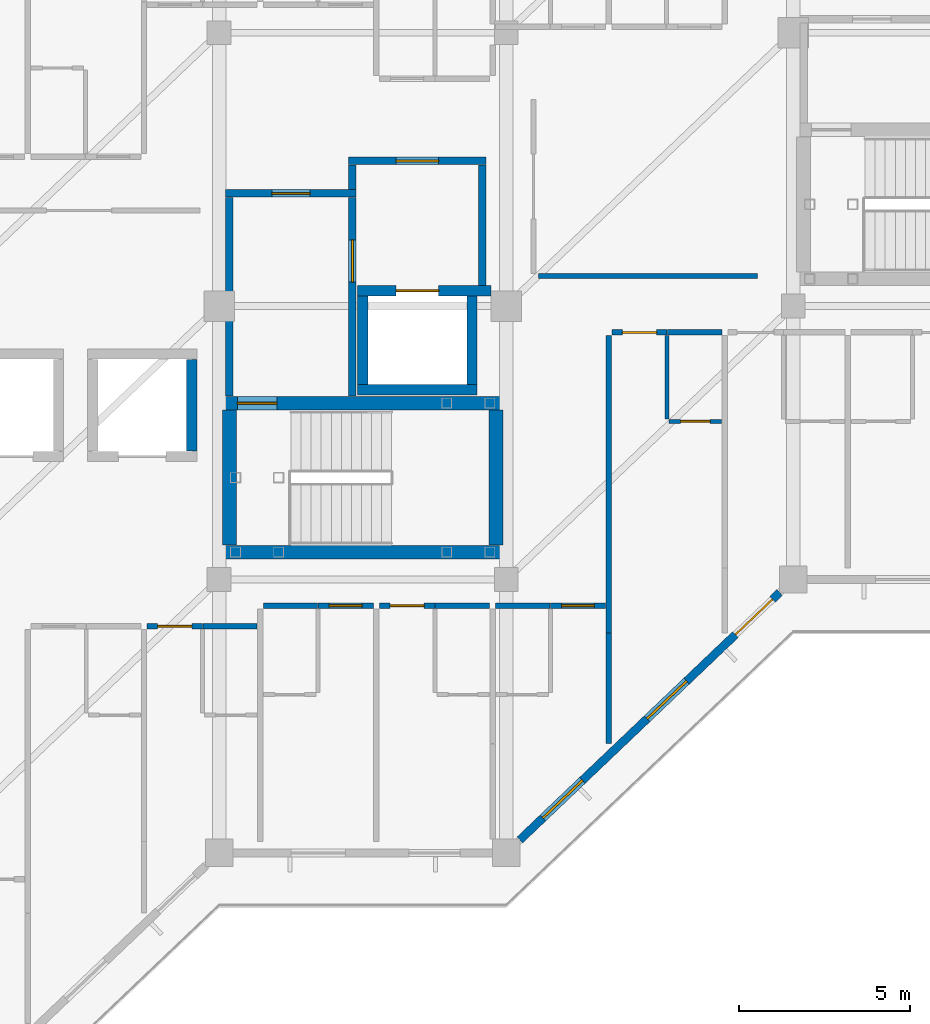
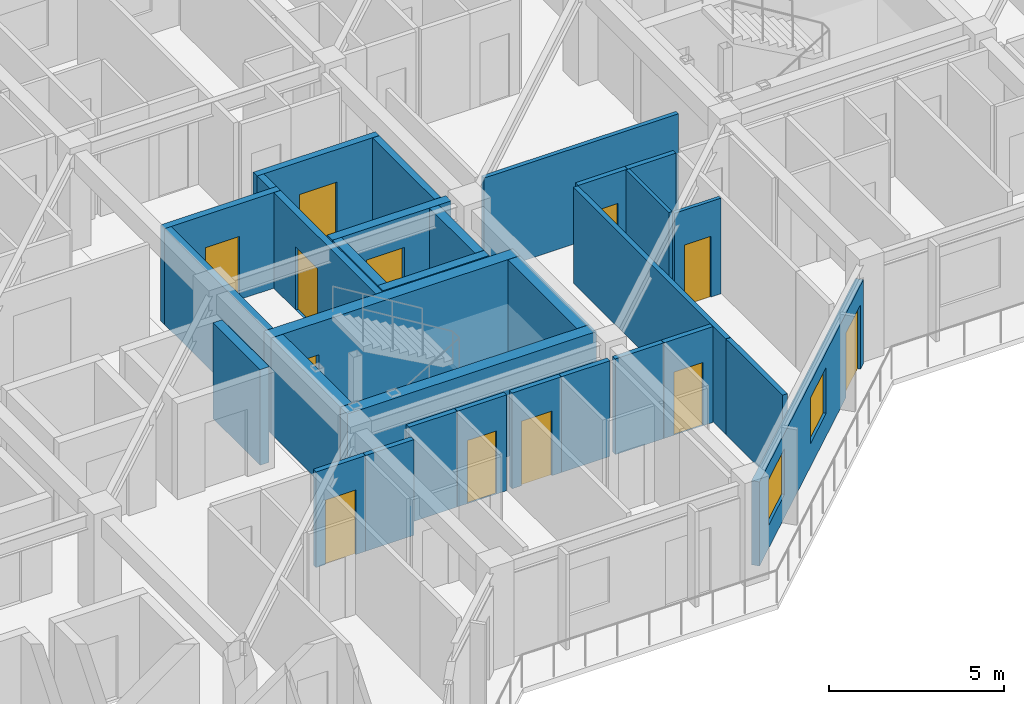
# One storey, part 10 of 17: 31 walls, 12 doors, 2 windows, 14 openings.
"""IFC4 building model written with IfcOpenShell, lengths in metres."""

from ifc_helpers import new_model, si_unit, direction, frame, frame_2d, origin, place, context, subcontext, project, spatial, rectangle, extrude, material, layer, layer_set, type_object, element, fill, save


model = new_model("IFC4")

# Units and contexts
model_context = context("Model", 3, precision=1e-05, world=origin(), true_north=direction((0.0, 1.0)))
body_context = subcontext(model_context, "Body", "Model", "MODEL_VIEW")
ifc_project = project(units=[si_unit("LENGTHUNIT", "METRE"), si_unit("AREAUNIT", "SQUARE_METRE"), si_unit("VOLUMEUNIT", "CUBIC_METRE"), si_unit("PLANEANGLEUNIT", "RADIAN"), si_unit("MASSUNIT", "GRAM", prefix="KILO")], contexts=[model_context])

# Site, building, storey
site_placement = place(None, origin())
site = spatial("IfcSite", under=ifc_project, at=site_placement, CompositionType="ELEMENT")
building_placement = place(site_placement, origin())
building = spatial("IfcBuilding", under=site, at=building_placement, Name="Naruveol Harbour Congress Hotel", CompositionType="ELEMENT")
storey_placement = place(building_placement, frame((0.0, 0.0, 25.199951171875)))
storey = spatial("IfcBuildingStorey", under=building, at=storey_placement, Name="L05", CompositionType="ELEMENT", Elevation=25.199951171875)

# Walls
ifc_material_1 = material(Name="Acoustic Double Stud Gypsum", Category="gypsum")
ifc_layer_1 = layer(ifc_material_1, 0.139892578125)
ifc_layer_set_1 = layer_set([ifc_layer_1], Name="Acoustic Double Stud Gypsum")
wall_type_1 = type_object("IfcWallType", Name="ACOUSTIC MEETING PARTITION WALL 140", PredefinedType="PARTITIONING", material=ifc_layer_set_1)
wall_1_placement = place(storey_placement, frame((160.5400390625, 24.8798828125, 0.0), z_axis=(0.0, 0.0, 1.0), x_axis=(1.0, 0.0, 0.0)))
element("IfcWall", 1, at=wall_1_placement, inside=storey, type_object=wall_type_1, Name="Executive Club Salon south partition PW-140", PredefinedType="PARTITIONING", context=body_context, shape_type="SweptSolid", body=[
    extrude(rectangle(XDim=6.409912109375, YDim=0.139892578125, at=frame_2d((3.205078125, 0.0))), origin(), (0.0, 0.0, 1.0), 3.3349609375),
])
ifc_material_2 = material(Name="Moisture-Resistant Gypsum Partition", Category="gypsum")
ifc_layer_2 = layer(ifc_material_2, 0.114990234375)
ifc_layer_set_2 = layer_set([ifc_layer_2], Name="Moisture-Resistant Gypsum Partition")
wall_type_2 = type_object("IfcWallType", Name="BATHROOM MOISTURE PARTITION WALL 115", PredefinedType="PARTITIONING", material=ifc_layer_set_2)
wall_2_placement = place(storey_placement, frame((164.31005859375, 20.68994140625, 0.0), z_axis=(0.0, 0.0, 1.0), x_axis=(0.0, 1.0, 0.0)))
element("IfcWall", 2, at=wall_2_placement, inside=storey, type_object=wall_type_2, Name="Bathroom west wall 0628 PW-115", PredefinedType="PARTITIONING", context=body_context, shape_type="SweptSolid", body=[
    extrude(rectangle(XDim=2.449951171875, YDim=0.114990234375, at=frame_2d((1.22509765625, 0.0))), origin(), (0.0, 0.0, 1.0), 3.3349609375),
])

# Wall, opening, door
wall_3_placement = place(storey_placement, frame((164.3701171875, 20.6298828125, 0.0), z_axis=(0.0, 0.0, 1.0), x_axis=(1.0, 0.0, 0.0)))
wall_3 = element("IfcWall", 3, at=wall_3_placement, inside=storey, type_object=wall_type_2, Name="Bathroom south wall 0628 PW-115", PredefinedType="PARTITIONING", context=body_context, shape_type="SweptSolid", body=[
    extrude(rectangle(XDim=1.52978515625, YDim=0.114990234375, at=frame_2d((0.764892578125, 0.0))), origin(), (0.0, 0.0, 1.0), 3.3349609375),
])
opening_1_placement = place(wall_3_placement, frame((0.3349609375, 0.0, 0.0)))
opening_1 = element("IfcOpeningElement", 4, at=opening_1_placement, cuts=wall_3, Name="Opening BD-RM0628", PredefinedType="OPENING", context=body_context, shape_type="SweptSolid", body=[
    extrude(rectangle(XDim=0.860107421875, YDim=2.1201171875, at=frame_2d((0.43017578125, 1.06005859375))), frame((0.0, 0.0673828125, 0.0), z_axis=(0.0, -1.0, 0.0), x_axis=(1.0, 0.0, 0.0)), (0.0, 0.0, 1.0), 0.135009765625),
])
ifc_material_3 = material(Name="Timber & Steel Acoustic Leaf", Category="steel")
door_type_1 = type_object("IfcDoorType", Name="GUEST BATHROOM DOOR 860X2120", OperationType="NOTDEFINED", PredefinedType="DOOR", material=ifc_material_3)
door_1_placement = place(opening_1_placement, origin())
door_1 = element("IfcDoor", 5, at=door_1_placement, inside=storey, type_object=door_type_1, Name="Bathroom Door 0628", OperationType="SINGLE_SWING_RIGHT", OverallHeight=2.1201171875, OverallWidth=0.860107421875, PredefinedType="DOOR", context=body_context, shape_type="SweptSolid", body=[
    extrude(rectangle(XDim=0.860107421875, YDim=2.1201171875, at=frame_2d((0.43017578125, 1.06005859375))), frame((0.0, 0.02490234375, 0.0), z_axis=(0.0, -1.0, 0.0), x_axis=(1.0, 0.0, 0.0)), (0.0, 0.0, 1.0), 0.050048828125),
])
fill(opening_1, door_1)

# Wall
ifc_material_4 = material(Name="Concrete C40/50", Category="concrete")
ifc_layer_3 = layer(ifc_material_4, 0.219970703125)
ifc_layer_set_3 = layer_set([ifc_layer_3], Name="Concrete C40/50")
wall_type_3 = type_object("IfcWallType", Name="FIRE COMPARTMENT AND LOBBY WALL 220 EI120", PredefinedType="PARTITIONING", material=ifc_layer_set_3)
wall_4_placement = place(storey_placement, frame((151.5, 21.364990234375, 0.0), z_axis=(0.0, 0.0, 1.0), x_axis=(0.0, 1.0, 0.0)))
element("IfcWall", 6, at=wall_4_placement, inside=storey, type_object=wall_type_3, Name="Smoke vestibule ST2 west wall FW-220", PredefinedType="PARTITIONING", context=body_context, shape_type="SweptSolid", body=[
    extrude(rectangle(XDim=5.820068359375, YDim=0.219970703125, at=frame_2d((2.91015625, 0.0))), origin(), (0.0, 0.0, 1.0), 3.3349609375),
])

# Wall, opening, door
wall_5_placement = place(storey_placement, frame((151.389892578125, 27.300048828125, 0.0), z_axis=(0.0, 0.0, 1.0), x_axis=(1.0, 0.0, 0.0)))
wall_5 = element("IfcWall", 7, at=wall_5_placement, inside=storey, type_object=wall_type_3, Name="Smoke vestibule ST2 north wall FW-220", PredefinedType="PARTITIONING", context=body_context, shape_type="SweptSolid", body=[
    extrude(rectangle(XDim=3.820068359375, YDim=0.219970703125, at=frame_2d((1.91015625, 0.0))), origin(), (0.0, 0.0, 1.0), 3.3349609375),
])
opening_2_placement = place(wall_5_placement, frame((1.35009765625, 0.0, 0.0)))
opening_2 = element("IfcOpeningElement", 8, at=opening_2_placement, cuts=wall_5, Name="Opening FD-ST2-V-L05", PredefinedType="OPENING", context=body_context, shape_type="SweptSolid", body=[
    extrude(rectangle(XDim=1.1201171875, YDim=2.199951171875, at=frame_2d((0.56005859375, 1.10009765625))), frame((0.0, 0.119873046875, 0.0), z_axis=(0.0, -1.0, 0.0), x_axis=(1.0, 0.0, 0.0)), (0.0, 0.0, 1.0), 0.239990234375),
])
ifc_material_5 = material(Name="Timber & Steel Acoustic Leaf", Category="steel")
door_type_2 = type_object("IfcDoorType", Name="VESTIBULE SMOKE CONTROL FIRE DOOR 1120X2200", OperationType="NOTDEFINED", PredefinedType="DOOR", material=ifc_material_5)
door_2_placement = place(opening_2_placement, origin())
door_2 = element("IfcDoor", 9, at=door_2_placement, inside=storey, type_object=door_type_2, Name="Smoke Vestibule Entry Door ST2 L05", OperationType="SINGLE_SWING_LEFT", OverallHeight=2.199951171875, OverallWidth=1.1201171875, PredefinedType="DOOR", context=body_context, shape_type="SweptSolid", body=[
    extrude(rectangle(XDim=1.1201171875, YDim=2.199951171875, at=frame_2d((0.56005859375, 1.10009765625))), frame((0.0, 0.02490234375, 0.0), z_axis=(0.0, -1.0, 0.0), x_axis=(1.0, 0.0, 0.0)), (0.0, 0.0, 1.0), 0.050048828125),
])
fill(opening_2, door_2)

wall_6_placement = place(storey_placement, frame((155.10009765625, 21.364990234375, 0.0), z_axis=(0.0, 0.0, 1.0), x_axis=(0.0, 1.0, 0.0)))
wall_6 = element("IfcWall", 10, at=wall_6_placement, inside=storey, type_object=wall_type_3, Name="Smoke vestibule ST2 east wall FW-220", PredefinedType="PARTITIONING", context=body_context, shape_type="SweptSolid", body=[
    extrude(rectangle(XDim=5.820068359375, YDim=0.219970703125, at=frame_2d((2.91015625, 0.0))), origin(), (0.0, 0.0, 1.0), 3.3349609375),
])
opening_3_placement = place(wall_6_placement, frame((3.3349609375, 0.0, 0.0)))
opening_3 = element("IfcOpeningElement", 11, at=opening_3_placement, cuts=wall_6, Name="Opening FD-FFL-ST2-L05", PredefinedType="OPENING", context=body_context, shape_type="SweptSolid", body=[
    extrude(rectangle(XDim=1.239990234375, YDim=2.199951171875, at=frame_2d((0.6201171875, 1.10009765625))), frame((0.0, 0.119873046875, 0.0), z_axis=(0.0, -1.0, 0.0), x_axis=(1.0, 0.0, 0.0)), (0.0, 0.0, 1.0), 0.239990234375),
])
ifc_material_6 = material(Name="Timber & Steel Acoustic Leaf", Category="steel")
door_type_3 = type_object("IfcDoorType", Name="FIREFIGHTING LOBBY FIRE DOOR 1240X2200", OperationType="NOTDEFINED", PredefinedType="DOOR", material=ifc_material_6)
door_3_placement = place(opening_3_placement, origin())
door_3 = element("IfcDoor", 12, at=door_3_placement, inside=storey, type_object=door_type_3, Name="Firefighting Lobby Vestibule Door ST2 L05", OperationType="SINGLE_SWING_RIGHT", OverallHeight=2.199951171875, OverallWidth=1.239990234375, PredefinedType="DOOR", context=body_context, shape_type="SweptSolid", body=[
    extrude(rectangle(XDim=1.239990234375, YDim=2.199951171875, at=frame_2d((0.6201171875, 1.10009765625))), frame((0.0, 0.02490234375, 0.0), z_axis=(0.0, -1.0, 0.0), x_axis=(1.0, 0.0, 0.0)), (0.0, 0.0, 1.0), 0.050048828125),
])
fill(opening_3, door_3)

# Walls
wall_7_placement = place(storey_placement, frame((155.10009765625, 27.4150390625, 0.0), z_axis=(0.0, 0.0, 1.0), x_axis=(0.0, 1.0, 0.0)))
element("IfcWall", 13, at=wall_7_placement, inside=storey, type_object=wall_type_3, Name="Firefighting lift lobby ST2 upper west wall FW-220", PredefinedType="PARTITIONING", context=body_context, shape_type="SweptSolid", body=[
    extrude(rectangle(XDim=0.719970703125, YDim=0.219970703125, at=frame_2d((0.35986328125, 0.0))), origin(), (0.0, 0.0, 1.0), 3.3349609375),
])
wall_8_placement = place(storey_placement, frame((158.89990234375, 24.60498046875, 0.0), z_axis=(0.0, 0.0, 1.0), x_axis=(0.0, 1.0, 0.0)))
element("IfcWall", 14, at=wall_8_placement, inside=storey, type_object=wall_type_3, Name="Firefighting lift lobby ST2 east wall FW-220", PredefinedType="PARTITIONING", context=body_context, shape_type="SweptSolid", body=[
    extrude(rectangle(XDim=3.530029296875, YDim=0.219970703125, at=frame_2d((1.76513671875, 0.0))), origin(), (0.0, 0.0, 1.0), 3.3349609375),
])

# Wall, opening, door
wall_9_placement = place(storey_placement, frame((154.989990234375, 28.25, 0.0), z_axis=(0.0, 0.0, 1.0), x_axis=(1.0, 0.0, 0.0)))
wall_9 = element("IfcWall", 15, at=wall_9_placement, inside=storey, type_object=wall_type_3, Name="Firefighting lift lobby ST2 north wall FW-220", PredefinedType="PARTITIONING", context=body_context, shape_type="SweptSolid", body=[
    extrude(rectangle(XDim=4.02001953125, YDim=0.219970703125, at=frame_2d((2.010009765625, 0.0))), origin(), (0.0, 0.0, 1.0), 3.3349609375),
])
opening_4_placement = place(wall_9_placement, frame((1.389892578125, 0.0, 0.0)))
opening_4 = element("IfcOpeningElement", 16, at=opening_4_placement, cuts=wall_9, Name="Opening FD-FFC-ST2-L05", PredefinedType="OPENING", context=body_context, shape_type="SweptSolid", body=[
    extrude(rectangle(XDim=1.239990234375, YDim=2.199951171875, at=frame_2d((0.6201171875, 1.10009765625))), frame((0.0, 0.119873046875, 0.0), z_axis=(0.0, -1.0, 0.0), x_axis=(1.0, 0.0, 0.0)), (0.0, 0.0, 1.0), 0.239990234375),
])
door_4_placement = place(opening_4_placement, origin())
door_4 = element("IfcDoor", 17, at=door_4_placement, inside=storey, type_object=door_type_3, Name="Firefighting Lobby Corridor Door ST2 L05", OperationType="SINGLE_SWING_LEFT", OverallHeight=2.199951171875, OverallWidth=1.239990234375, PredefinedType="DOOR", context=body_context, shape_type="SweptSolid", body=[
    extrude(rectangle(XDim=1.239990234375, YDim=2.199951171875, at=frame_2d((0.6201171875, 1.10009765625))), frame((0.0, 0.02490234375, 0.0), z_axis=(0.0, -1.0, 0.0), x_axis=(1.0, 0.0, 0.0)), (0.0, 0.0, 1.0), 0.050048828125),
])
fill(opening_4, door_4)

ifc_material_7 = material(Name="Autoclaved Aerated Concrete Block", Category="concrete")
ifc_layer_4 = layer(ifc_material_7, 0.159912109375)
ifc_layer_set_4 = layer_set([ifc_layer_4], Name="Autoclaved Aerated Concrete Block")
wall_type_4 = type_object("IfcWallType", Name="HOTEL PARTY AND CORRIDOR WALL 160 EI60", PredefinedType="PARTITIONING", material=ifc_layer_set_4)
wall_10_placement = place(storey_placement, frame((149.090087890625, 14.6298828125, 0.0), z_axis=(0.0, 0.0, 1.0), x_axis=(1.0, 0.0, 0.0)))
wall_10 = element("IfcWall", 18, at=wall_10_placement, inside=storey, type_object=wall_type_4, Name="Corridor entry wall 0624 PW-160", PredefinedType="PARTITIONING", context=body_context, shape_type="SweptSolid", body=[
    extrude(rectangle(XDim=1.619873046875, YDim=0.159912109375, at=frame_2d((0.81005859375, 0.0))), origin(), (0.0, 0.0, 1.0), 3.3349609375),
])
opening_5_placement = place(wall_10_placement, frame((0.31005859375, 0.0, 0.0)))
opening_5 = element("IfcOpeningElement", 19, at=opening_5_placement, cuts=wall_10, Name="Opening FD-RM0624", PredefinedType="OPENING", context=body_context, shape_type="SweptSolid", body=[
    extrude(rectangle(XDim=1.0, YDim=2.25, at=frame_2d((0.5, 1.125))), frame((0.0, 0.08984375, 0.0), z_axis=(0.0, -1.0, 0.0), x_axis=(1.0, 0.0, 0.0)), (0.0, 0.0, 1.0), 0.179931640625),
])
ifc_material_8 = material(Name="Timber & Steel Acoustic Leaf", Category="steel")
door_type_4 = type_object("IfcDoorType", Name="DELUXE GUEST ENTRANCE FIRE DOOR 1000X2250", OperationType="NOTDEFINED", PredefinedType="DOOR", material=ifc_material_8)
door_5_placement = place(opening_5_placement, origin())
door_5 = element("IfcDoor", 20, at=door_5_placement, inside=storey, type_object=door_type_4, Name="Hotel Room Door 0624", OperationType="SINGLE_SWING_LEFT", OverallHeight=2.25, OverallWidth=1.0, PredefinedType="DOOR", context=body_context, shape_type="SweptSolid", body=[
    extrude(rectangle(XDim=1.0, YDim=2.25, at=frame_2d((0.5, 1.125))), frame((0.0, 0.02490234375, 0.0), z_axis=(0.0, -1.0, 0.0), x_axis=(1.0, 0.0, 0.0)), (0.0, 0.0, 1.0), 0.050048828125),
])
fill(opening_5, door_5)

# Walls
for number, where, z_axis, x_axis, name in (
    (21, (150.719970703125, 14.6298828125, 0.0), (0.0, 0.0, 1.0), (1.0, 0.0, 0.0), "Corridor wall 0624B PW-160"),
    (22, (152.489990234375, 15.22998046875, 0.0), (0.0, 0.0, 1.0), (1.0, 0.0, 0.0), "Corridor wall 0625B PW-160"),
):
    element("IfcWall", number, at=place(storey_placement, frame(where, z_axis=z_axis, x_axis=x_axis)), inside=storey, type_object=wall_type_4, Name=name, PredefinedType="PARTITIONING", context=body_context, shape_type="SweptSolid", body=[
        extrude(rectangle(XDim=1.590087890625, YDim=0.159912109375, at=frame_2d((0.794921875, 0.0))), origin(), (0.0, 0.0, 1.0), 3.3349609375),
    ])

# Wall, opening, door
wall_11_placement = place(storey_placement, frame((154.090087890625, 15.22998046875, 0.0), z_axis=(0.0, 0.0, 1.0), x_axis=(1.0, 0.0, 0.0)))
wall_11 = element("IfcWall", 23, at=wall_11_placement, inside=storey, type_object=wall_type_4, Name="Corridor entry wall 0625 PW-160", PredefinedType="PARTITIONING", context=body_context, shape_type="SweptSolid", body=[
    extrude(rectangle(XDim=1.619873046875, YDim=0.159912109375, at=frame_2d((0.81005859375, 0.0))), origin(), (0.0, 0.0, 1.0), 3.3349609375),
])
opening_6_placement = place(wall_11_placement, frame((0.330078125, 0.0, 0.0)))
opening_6 = element("IfcOpeningElement", 24, at=opening_6_placement, cuts=wall_11, Name="Opening FD-RM0625", PredefinedType="OPENING", context=body_context, shape_type="SweptSolid", body=[
    extrude(rectangle(XDim=0.9599609375, YDim=2.199951171875, at=frame_2d((0.47998046875, 1.10009765625))), frame((0.0, 0.08984375, 0.0), z_axis=(0.0, -1.0, 0.0), x_axis=(1.0, 0.0, 0.0)), (0.0, 0.0, 1.0), 0.179931640625),
])
ifc_material_9 = material(Name="Timber & Steel Acoustic Leaf", Category="steel")
door_type_5 = type_object("IfcDoorType", Name="GUEST ROOM ENTRANCE FIRE DOOR 960X2200", OperationType="NOTDEFINED", PredefinedType="DOOR", material=ifc_material_9)
door_6_placement = place(opening_6_placement, origin())
door_6 = element("IfcDoor", 25, at=door_6_placement, inside=storey, type_object=door_type_5, Name="Hotel Room Door 0625", OperationType="SINGLE_SWING_LEFT", OverallHeight=2.199951171875, OverallWidth=0.9599609375, PredefinedType="DOOR", context=body_context, shape_type="SweptSolid", body=[
    extrude(rectangle(XDim=0.9599609375, YDim=2.199951171875, at=frame_2d((0.47998046875, 1.10009765625))), frame((0.0, 0.02490234375, 0.0), z_axis=(0.0, -1.0, 0.0), x_axis=(1.0, 0.0, 0.0)), (0.0, 0.0, 1.0), 0.050048828125),
])
fill(opening_6, door_6)

wall_12_placement = place(storey_placement, frame((155.889892578125, 15.22998046875, 0.0), z_axis=(0.0, 0.0, 1.0), x_axis=(1.0, 0.0, 0.0)))
wall_12 = element("IfcWall", 26, at=wall_12_placement, inside=storey, type_object=wall_type_4, Name="Corridor entry wall 0626 PW-160", PredefinedType="PARTITIONING", context=body_context, shape_type="SweptSolid", body=[
    extrude(rectangle(XDim=1.6201171875, YDim=0.159912109375, at=frame_2d((0.81005859375, 0.0))), origin(), (0.0, 0.0, 1.0), 3.3349609375),
])
opening_7_placement = place(wall_12_placement, frame((0.31005859375, 0.0, 0.0)))
opening_7 = element("IfcOpeningElement", 27, at=opening_7_placement, cuts=wall_12, Name="Opening FD-RM0626", PredefinedType="OPENING", context=body_context, shape_type="SweptSolid", body=[
    extrude(rectangle(XDim=1.0, YDim=2.25, at=frame_2d((0.5, 1.125))), frame((0.0, 0.08984375, 0.0), z_axis=(0.0, -1.0, 0.0), x_axis=(1.0, 0.0, 0.0)), (0.0, 0.0, 1.0), 0.179931640625),
])
door_7_placement = place(opening_7_placement, origin())
door_7 = element("IfcDoor", 28, at=door_7_placement, inside=storey, type_object=door_type_4, Name="Hotel Room Door 0626", OperationType="SINGLE_SWING_LEFT", OverallHeight=2.25, OverallWidth=1.0, PredefinedType="DOOR", context=body_context, shape_type="SweptSolid", body=[
    extrude(rectangle(XDim=1.0, YDim=2.25, at=frame_2d((0.5, 1.125))), frame((0.0, 0.02490234375, 0.0), z_axis=(0.0, -1.0, 0.0), x_axis=(1.0, 0.0, 0.0)), (0.0, 0.0, 1.0), 0.050048828125),
])
fill(opening_7, door_7)

# Walls
wall_13_placement = place(storey_placement, frame((157.52001953125, 15.22998046875, 0.0), z_axis=(0.0, 0.0, 1.0), x_axis=(1.0, 0.0, 0.0)))
element("IfcWall", 29, at=wall_13_placement, inside=storey, type_object=wall_type_4, Name="Corridor wall 0626B PW-160", PredefinedType="PARTITIONING", context=body_context, shape_type="SweptSolid", body=[
    extrude(rectangle(XDim=1.590087890625, YDim=0.159912109375, at=frame_2d((0.794921875, 0.0))), origin(), (0.0, 0.0, 1.0), 3.3349609375),
])
wall_14_placement = place(storey_placement, frame((159.2900390625, 15.22998046875, 0.0), z_axis=(0.0, 0.0, 1.0), x_axis=(1.0, 0.0, 0.0)))
element("IfcWall", 30, at=wall_14_placement, inside=storey, type_object=wall_type_4, Name="Corridor wall 0627B PW-160", PredefinedType="PARTITIONING", context=body_context, shape_type="SweptSolid", body=[
    extrude(rectangle(XDim=1.58984375, YDim=0.159912109375, at=frame_2d((0.794921875, 0.0))), origin(), (0.0, 0.0, 1.0), 3.3349609375),
])

# Wall, opening, door
wall_15_placement = place(storey_placement, frame((160.889892578125, 15.22998046875, 0.0), z_axis=(0.0, 0.0, 1.0), x_axis=(1.0, 0.0, 0.0)))
wall_15 = element("IfcWall", 31, at=wall_15_placement, inside=storey, type_object=wall_type_4, Name="Corridor entry wall 0627 PW-160", PredefinedType="PARTITIONING", context=body_context, shape_type="SweptSolid", body=[
    extrude(rectangle(XDim=1.6201171875, YDim=0.159912109375, at=frame_2d((0.81005859375, 0.0))), origin(), (0.0, 0.0, 1.0), 3.3349609375),
])
opening_8_placement = place(wall_15_placement, frame((0.330078125, 0.0, 0.0)))
opening_8 = element("IfcOpeningElement", 32, at=opening_8_placement, cuts=wall_15, Name="Opening FD-RM0627", PredefinedType="OPENING", context=body_context, shape_type="SweptSolid", body=[
    extrude(rectangle(XDim=0.9599609375, YDim=2.199951171875, at=frame_2d((0.47998046875, 1.10009765625))), frame((0.0, 0.08984375, 0.0), z_axis=(0.0, -1.0, 0.0), x_axis=(1.0, 0.0, 0.0)), (0.0, 0.0, 1.0), 0.179931640625),
])
door_8_placement = place(opening_8_placement, origin())
door_8 = element("IfcDoor", 33, at=door_8_placement, inside=storey, type_object=door_type_5, Name="Hotel Room Door 0627", OperationType="SINGLE_SWING_LEFT", OverallHeight=2.199951171875, OverallWidth=0.9599609375, PredefinedType="DOOR", context=body_context, shape_type="SweptSolid", body=[
    extrude(rectangle(XDim=0.9599609375, YDim=2.199951171875, at=frame_2d((0.47998046875, 1.10009765625))), frame((0.0, 0.02490234375, 0.0), z_axis=(0.0, -1.0, 0.0), x_axis=(1.0, 0.0, 0.0)), (0.0, 0.0, 1.0), 0.050048828125),
])
fill(opening_8, door_8)

# Wall
wall_16_placement = place(storey_placement, frame((162.60009765625, 11.199951171875, 0.0), z_axis=(0.0, 0.0, 1.0), x_axis=(0.0, 1.0, 0.0)))
element("IfcWall", 34, at=wall_16_placement, inside=storey, type_object=wall_type_4, Name="Hotel end party wall 0627 PW-160", PredefinedType="PARTITIONING", context=body_context, shape_type="SweptSolid", body=[
    extrude(rectangle(XDim=3.22998046875, YDim=0.159912109375, at=frame_2d((1.614990234375, 0.0))), origin(), (0.0, 0.0, 1.0), 3.3349609375),
])

# Wall, opening, door
wall_17_placement = place(storey_placement, frame((162.68994140625, 23.22998046875, 0.0), z_axis=(0.0, 0.0, 1.0), x_axis=(1.0, 0.0, 0.0)))
wall_17 = element("IfcWall", 35, at=wall_17_placement, inside=storey, type_object=wall_type_4, Name="Corridor entry wall 0628 PW-160", PredefinedType="PARTITIONING", context=body_context, shape_type="SweptSolid", body=[
    extrude(rectangle(XDim=1.6201171875, YDim=0.159912109375, at=frame_2d((0.81005859375, 0.0))), origin(), (0.0, 0.0, 1.0), 3.3349609375),
])
opening_9_placement = place(wall_17_placement, frame((0.31005859375, 0.0, 0.0)))
opening_9 = element("IfcOpeningElement", 36, at=opening_9_placement, cuts=wall_17, Name="Opening FD-RM0628", PredefinedType="OPENING", context=body_context, shape_type="SweptSolid", body=[
    extrude(rectangle(XDim=1.0, YDim=2.25, at=frame_2d((0.5, 1.125))), frame((0.0, 0.08984375, 0.0), z_axis=(0.0, -1.0, 0.0), x_axis=(1.0, 0.0, 0.0)), (0.0, 0.0, 1.0), 0.179931640625),
])
door_9_placement = place(opening_9_placement, origin())
door_9 = element("IfcDoor", 37, at=door_9_placement, inside=storey, type_object=door_type_4, Name="Hotel Room Door 0628", OperationType="SINGLE_SWING_LEFT", OverallHeight=2.25, OverallWidth=1.0, PredefinedType="DOOR", context=body_context, shape_type="SweptSolid", body=[
    extrude(rectangle(XDim=1.0, YDim=2.25, at=frame_2d((0.5, 1.125))), frame((0.0, 0.02490234375, 0.0), z_axis=(0.0, -1.0, 0.0), x_axis=(1.0, 0.0, 0.0)), (0.0, 0.0, 1.0), 0.050048828125),
])
fill(opening_9, door_9)

# Walls
wall_18_placement = place(storey_placement, frame((164.320068359375, 23.22998046875, 0.0), z_axis=(0.0, 0.0, 1.0), x_axis=(1.0, 0.0, 0.0)))
element("IfcWall", 38, at=wall_18_placement, inside=storey, type_object=wall_type_4, Name="Corridor wall 0628B PW-160", PredefinedType="PARTITIONING", context=body_context, shape_type="SweptSolid", body=[
    extrude(rectangle(XDim=1.58984375, YDim=0.159912109375, at=frame_2d((0.794921875, 0.0))), origin(), (0.0, 0.0, 1.0), 3.3349609375),
])
wall_19_placement = place(storey_placement, frame((162.60009765625, 14.43994140625, 0.0), z_axis=(0.0, 0.0, 1.0), x_axis=(0.0, 1.0, 0.0)))
element("IfcWall", 39, at=wall_19_placement, inside=storey, type_object=wall_type_4, Name="Hotel party wall 0628 PW-160", PredefinedType="PARTITIONING", context=body_context, shape_type="SweptSolid", body=[
    extrude(rectangle(XDim=8.699951171875, YDim=0.159912109375, at=frame_2d((4.35009765625, 0.0))), origin(), (0.0, 0.0, 1.0), 3.3349609375),
])

# Wall, openings, windows, door
ifc_material_10 = material(Name="Concrete C40/50", Category="concrete")
ifc_layer_5 = layer(ifc_material_10, 0.239990234375)
ifc_layer_set_5 = layer_set([ifc_layer_5], Name="Concrete C40/50")
wall_type_5 = type_object("IfcWallType", Name="INSULATED HOTEL SPANDREL WALL 240", PredefinedType="SOLIDWALL", material=ifc_layer_set_5)
wall_20_placement = place(storey_placement, frame((167.60009765625, 15.618896484375, 0.0), z_axis=(0.0, 0.0, 1.0), x_axis=(-0.724156739794, -0.689635422677, 0.0)))
wall_20 = element("IfcWall", 40, at=wall_20_placement, inside=storey, type_object=wall_type_5, Name="Hotel south waterfront wall L05 EW-240", PredefinedType="SOLIDWALL", context=body_context, shape_type="SweptSolid", body=[
    extrude(rectangle(XDim=10.4951171875, YDim=0.239990234375, at=frame_2d((5.24755859375, 0.0))), origin(), (0.0, 0.0, 1.0), 2.929931640625),
])
opening_10_placement = place(wall_20_placement, frame((0.285888671875, 0.0, 0.0)))
opening_10 = element("IfcOpeningElement", 41, at=opening_10_placement, cuts=wall_20, Name="Opening BD-150-043", PredefinedType="OPENING", context=body_context, shape_type="SweptSolid", body=[
    extrude(rectangle(XDim=1.5, YDim=2.25, at=frame_2d((0.75, 1.125))), frame((0.0, 0.1298828125, 0.0), z_axis=(0.0, -1.0, 0.0), x_axis=(1.0, 0.0, 0.0)), (0.0, 0.0, 1.0), 0.260009765625),
])
opening_11_placement = place(wall_20_placement, frame((3.757080078125, 0.0, 0.800048828125)))
opening_11 = element("IfcOpeningElement", 42, at=opening_11_placement, cuts=wall_20, Name="Opening W-03", PredefinedType="OPENING", context=body_context, shape_type="SweptSolid", body=[
    extrude(rectangle(XDim=1.60009765625, YDim=1.60009765625, at=frame_2d((0.800048828125, 0.800048828125))), frame((0.0, 0.1298828125, 0.0), z_axis=(0.0, -1.0, 0.0), x_axis=(1.0, 0.0, 0.0)), (0.0, 0.0, 1.0), 0.260009765625),
])
opening_12_placement = place(wall_20_placement, frame((7.968994140625, 0.0, 0.800048828125)))
opening_12 = element("IfcOpeningElement", 43, at=opening_12_placement, cuts=wall_20, Name="Opening W-03", PredefinedType="OPENING", context=body_context, shape_type="SweptSolid", body=[
    extrude(rectangle(XDim=1.60009765625, YDim=1.60009765625, at=frame_2d((0.800048828125, 0.800048828125))), frame((0.0, 0.1298828125, 0.0), z_axis=(0.0, -1.0, 0.0), x_axis=(1.0, 0.0, 0.0)), (0.0, 0.0, 1.0), 0.260009765625),
])
ifc_material_11 = material(Name="Low-E Triple Glazing in Thermal Aluminium", Category="aluminium")
window_type = type_object("IfcWindowType", Name="DELUXE GUEST WINDOW 1600X1600", PartitioningType="SINGLE_PANEL", PredefinedType="WINDOW", material=ifc_material_11)
window_1_placement = place(opening_11_placement, origin())
window_1 = element("IfcWindow", 44, at=window_1_placement, inside=storey, type_object=window_type, Name="Window W-03 #327", OverallHeight=1.60009765625, OverallWidth=1.60009765625, PartitioningType="SINGLE_PANEL", PredefinedType="WINDOW", context=body_context, shape_type="SweptSolid", body=[
    extrude(rectangle(XDim=1.60009765625, YDim=1.60009765625, at=frame_2d((0.800048828125, 0.800048828125))), frame((0.0, 0.030029296875, 0.0), z_axis=(0.0, -1.0, 0.0), x_axis=(1.0, 0.0, 0.0)), (0.0, 0.0, 1.0), 0.06005859375),
])
fill(opening_11, window_1)
window_2_placement = place(opening_12_placement, origin())
window_2 = element("IfcWindow", 45, at=window_2_placement, inside=storey, type_object=window_type, Name="Window W-03 #328", OverallHeight=1.60009765625, OverallWidth=1.60009765625, PartitioningType="SINGLE_PANEL", PredefinedType="WINDOW", context=body_context, shape_type="SweptSolid", body=[
    extrude(rectangle(XDim=1.60009765625, YDim=1.60009765625, at=frame_2d((0.800048828125, 0.800048828125))), frame((0.0, 0.030029296875, 0.0), z_axis=(0.0, -1.0, 0.0), x_axis=(1.0, 0.0, 0.0)), (0.0, 0.0, 1.0), 0.06005859375),
])
fill(opening_12, window_2)
ifc_material_12 = material(Name="Powder-Coated Steel & Insulated Glazing", Category="steel")
door_type_6 = type_object("IfcDoorType", Name="SUITE BALCONY SLIDING DOOR 1500X2250", OperationType="SLIDING_TO_LEFT", PredefinedType="DOOR", material=ifc_material_12)
door_10_placement = place(opening_10_placement, origin())
door_10 = element("IfcDoor", 46, at=door_10_placement, inside=storey, type_object=door_type_6, Name="Exterior door BD-150-043", OperationType="SLIDING_TO_LEFT", OverallHeight=2.25, OverallWidth=1.5, PredefinedType="DOOR", context=body_context, shape_type="SweptSolid", body=[
    extrude(rectangle(XDim=1.5, YDim=2.25, at=frame_2d((0.75, 1.125))), frame((0.0, 0.02490234375, 0.0), z_axis=(0.0, -1.0, 0.0), x_axis=(1.0, 0.0, 0.0)), (0.0, 0.0, 1.0), 0.050048828125),
])
fill(opening_10, door_10)

# Walls
ifc_material_13 = material(Name="Concrete C50/60", Category="concrete")
ifc_layer_6 = layer(ifc_material_13, 0.39990234375)
ifc_layer_set_6 = layer_set([ifc_layer_6], Name="Concrete C50/60")
wall_type_6 = type_object("IfcWallType", Name="RC CORE SHEAR WALL 400 EI120", PredefinedType="SHEAR", material=ifc_layer_set_6)
wall_21_placement = place(storey_placement, frame((151.300048828125, 16.800048828125, 0.0), z_axis=(0.0, 0.0, 1.0), x_axis=(1.0, 0.0, 0.0)))
element("IfcWall", 47, at=wall_21_placement, inside=storey, type_object=wall_type_6, Name="Stair ST2 south core wall CW-400", PredefinedType="SHEAR", context=body_context, shape_type="SweptSolid", body=[
    extrude(rectangle(XDim=8.199951171875, YDim=0.39990234375, at=frame_2d((4.10009765625, 0.0))), origin(), (0.0, 0.0, 1.0), 3.3349609375),
])
wall_22_placement = place(storey_placement, frame((159.300048828125, 17.0048828125, 0.0), z_axis=(0.0, 0.0, 1.0), x_axis=(0.0, 1.0, 0.0)))
element("IfcWall", 48, at=wall_22_placement, inside=storey, type_object=wall_type_6, Name="Stair ST2 east core wall CW-400", PredefinedType="SHEAR", context=body_context, shape_type="SweptSolid", body=[
    extrude(rectangle(XDim=3.9501953125, YDim=0.39990234375, at=frame_2d((1.97509765625, 0.0))), origin(), (0.0, 0.0, 1.0), 3.3349609375),
])

# Wall, opening, door
wall_23_placement = place(storey_placement, frame((151.300048828125, 21.159912109375, 0.0), z_axis=(0.0, 0.0, 1.0), x_axis=(1.0, 0.0, 0.0)))
wall_23 = element("IfcWall", 49, at=wall_23_placement, inside=storey, type_object=wall_type_6, Name="Stair ST2 north core wall CW-400", PredefinedType="SHEAR", context=body_context, shape_type="SweptSolid", body=[
    extrude(rectangle(XDim=8.199951171875, YDim=0.39990234375, at=frame_2d((4.10009765625, 0.0))), origin(), (0.0, 0.0, 1.0), 3.3349609375),
])
opening_13_placement = place(wall_23_placement, frame((0.429931640625, 0.0, 0.0)))
opening_13 = element("IfcOpeningElement", 50, at=opening_13_placement, cuts=wall_23, Name="Opening FD-ST2-S-L05", PredefinedType="OPENING", context=body_context, shape_type="SweptSolid", body=[
    extrude(rectangle(XDim=1.159912109375, YDim=2.199951171875, at=frame_2d((0.580078125, 1.10009765625))), frame((0.0, 0.2099609375, 0.0), z_axis=(0.0, -1.0, 0.0), x_axis=(1.0, 0.0, 0.0)), (0.0, 0.0, 1.0), 0.419921875),
])
ifc_material_14 = material(Name="Timber & Steel Acoustic Leaf", Category="steel")
door_type_7 = type_object("IfcDoorType", Name="SPECIAL ESCAPE STAIR FIRE DOOR 1160X2200", OperationType="NOTDEFINED", PredefinedType="DOOR", material=ifc_material_14)
door_11_placement = place(opening_13_placement, origin())
door_11 = element("IfcDoor", 51, at=door_11_placement, inside=storey, type_object=door_type_7, Name="Special Escape Stair Door ST2 L05", OperationType="SINGLE_SWING_RIGHT", OverallHeight=2.199951171875, OverallWidth=1.159912109375, PredefinedType="DOOR", context=body_context, shape_type="SweptSolid", body=[
    extrude(rectangle(XDim=1.159912109375, YDim=2.199951171875, at=frame_2d((0.580078125, 1.10009765625))), frame((0.0, 0.02490234375, 0.0), z_axis=(0.0, -1.0, 0.0), x_axis=(1.0, 0.0, 0.0)), (0.0, 0.0, 1.0), 0.050048828125),
])
fill(opening_13, door_11)

# Walls
wall_24_placement = place(storey_placement, frame((151.5, 17.0048828125, 0.0), z_axis=(0.0, 0.0, 1.0), x_axis=(0.0, 1.0, 0.0)))
element("IfcWall", 52, at=wall_24_placement, inside=storey, type_object=wall_type_6, Name="Stair ST2 west core wall CW-400", PredefinedType="SHEAR", context=body_context, shape_type="SweptSolid", body=[
    extrude(rectangle(XDim=3.9501953125, YDim=0.39990234375, at=frame_2d((1.97509765625, 0.0))), origin(), (0.0, 0.0, 1.0), 3.3349609375),
])
ifc_material_15 = material(Name="Concrete C50/60", Category="concrete")
ifc_layer_7 = layer(ifc_material_15, 0.300048828125)
ifc_layer_set_7 = layer_set([ifc_layer_7], Name="Concrete C50/60")
wall_type_7 = type_object("IfcWallType", Name="RC STAIR AND HOISTWAY SHEAR WALL 300 EI120", PredefinedType="SHEAR", material=ifc_layer_set_7)
wall_25_placement = place(storey_placement, frame((155.25, 21.550048828125, 0.0), z_axis=(0.0, 0.0, 1.0), x_axis=(1.0, 0.0, 0.0)))
element("IfcWall", 53, at=wall_25_placement, inside=storey, type_object=wall_type_7, Name="Hoistway south shear wall FL2 SW-300", PredefinedType="SHEAR", context=body_context, shape_type="SweptSolid", body=[
    extrude(rectangle(XDim=3.5, YDim=0.300048828125, at=frame_2d((1.75, 0.0))), origin(), (0.0, 0.0, 1.0), 3.3349609375),
])
wall_26_placement = place(storey_placement, frame((158.60009765625, 21.705078125, 0.0), z_axis=(0.0, 0.0, 1.0), x_axis=(0.0, 1.0, 0.0)))
element("IfcWall", 54, at=wall_26_placement, inside=storey, type_object=wall_type_7, Name="Hoistway east shear wall FL2 SW-300", PredefinedType="SHEAR", context=body_context, shape_type="SweptSolid", body=[
    extrude(rectangle(XDim=2.58984375, YDim=0.300048828125, at=frame_2d((1.294921875, 0.0))), origin(), (0.0, 0.0, 1.0), 3.3349609375),
])

# Wall, opening, door
wall_27_placement = place(storey_placement, frame((159.159912109375, 24.449951171875, 0.0), z_axis=(0.0, 0.0, 1.0), x_axis=(-1.0, 0.0, 0.0)))
wall_27 = element("IfcWall", 55, at=wall_27_placement, inside=storey, type_object=wall_type_7, Name="Hoistway north shear wall FL2 SW-300", PredefinedType="SHEAR", context=body_context, shape_type="SweptSolid", body=[
    extrude(rectangle(XDim=3.909912109375, YDim=0.300048828125, at=frame_2d((1.955078125, 0.0))), origin(), (0.0, 0.0, 1.0), 3.3349609375),
])
opening_14_placement = place(wall_27_placement, frame((1.534912109375, 0.0, 0.0)))
opening_14 = element("IfcOpeningElement", 56, at=opening_14_placement, cuts=wall_27, Name="Opening LD-FL2-L05", PredefinedType="OPENING", context=body_context, shape_type="SweptSolid", body=[
    extrude(rectangle(XDim=1.25, YDim=2.25, at=frame_2d((0.625, 1.125))), frame((0.0, 0.159912109375, 0.0), z_axis=(0.0, -1.0, 0.0), x_axis=(1.0, 0.0, 0.0)), (0.0, 0.0, 1.0), 0.320068359375),
])
ifc_material_16 = material(Name="Stainless Steel Lift Door", Category="steel")
door_type_8 = type_object("IfcDoorType", Name="FIREFIGHTING LIFT LANDING DOOR 1250X2250", OperationType="DOUBLE_DOOR_SLIDING", PredefinedType="DOOR", material=ifc_material_16)
door_12_placement = place(opening_14_placement, origin())
door_12 = element("IfcDoor", 57, at=door_12_placement, inside=storey, type_object=door_type_8, Name="Elevator Landing Door FL2 L05", OperationType="DOUBLE_DOOR_SLIDING", OverallHeight=2.25, OverallWidth=1.25, PredefinedType="DOOR", context=body_context, shape_type="SweptSolid", body=[
    extrude(rectangle(XDim=1.25, YDim=2.25, at=frame_2d((0.625, 1.125))), frame((0.0, 0.02490234375, 0.0), z_axis=(0.0, -1.0, 0.0), x_axis=(1.0, 0.0, 0.0)), (0.0, 0.0, 1.0), 0.050048828125),
])
fill(opening_14, door_12)

# Walls
wall_28_placement = place(storey_placement, frame((155.39990234375, 24.294921875, 0.0), z_axis=(0.0, 0.0, 1.0), x_axis=(0.0, -1.0, 0.0)))
element("IfcWall", 58, at=wall_28_placement, inside=storey, type_object=wall_type_7, Name="Hoistway west shear wall FL2 SW-300", PredefinedType="SHEAR", context=body_context, shape_type="SweptSolid", body=[
    extrude(rectangle(XDim=2.58984375, YDim=0.300048828125, at=frame_2d((1.294921875, 0.0))), origin(), (0.0, 0.0, 1.0), 3.3349609375),
])
wall_29_placement = place(storey_placement, frame((150.39990234375, 19.7548828125, 0.0), z_axis=(0.0, 0.0, 1.0), x_axis=(0.0, 1.0, 0.0)))
element("IfcWall", 59, at=wall_29_placement, inside=storey, type_object=wall_type_7, Name="Hoistway east shear wall GL2 SW-300", PredefinedType="SHEAR", context=body_context, shape_type="SweptSolid", body=[
    extrude(rectangle(XDim=2.690185546875, YDim=0.300048828125, at=frame_2d((1.34521484375, 0.0))), origin(), (0.0, 0.0, 1.0), 3.3349609375),
])

save(model, "model.ifc")
